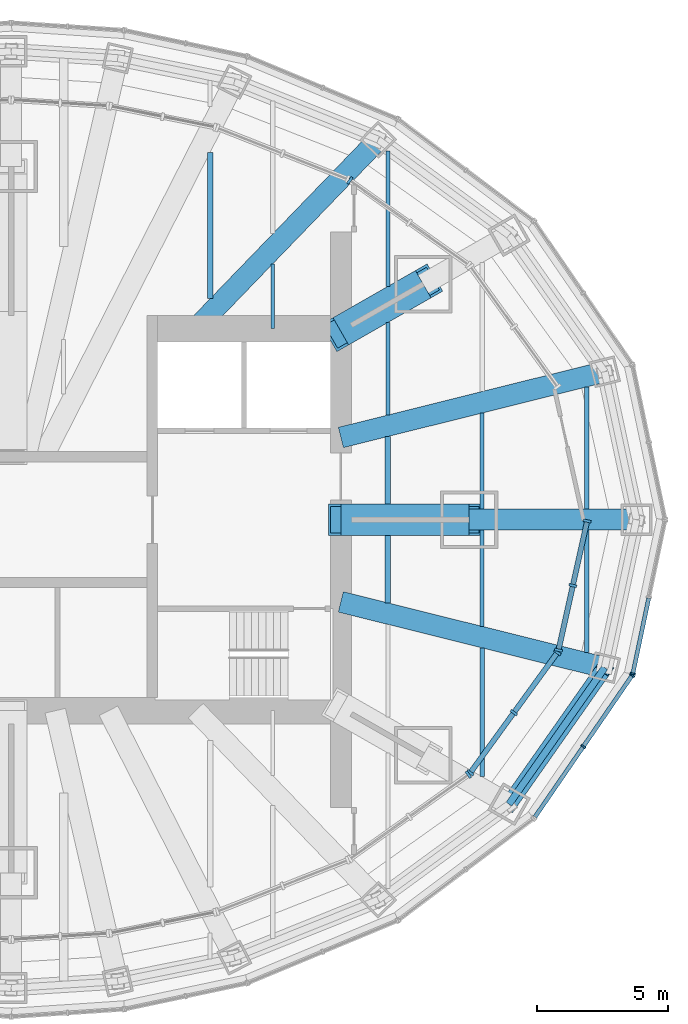
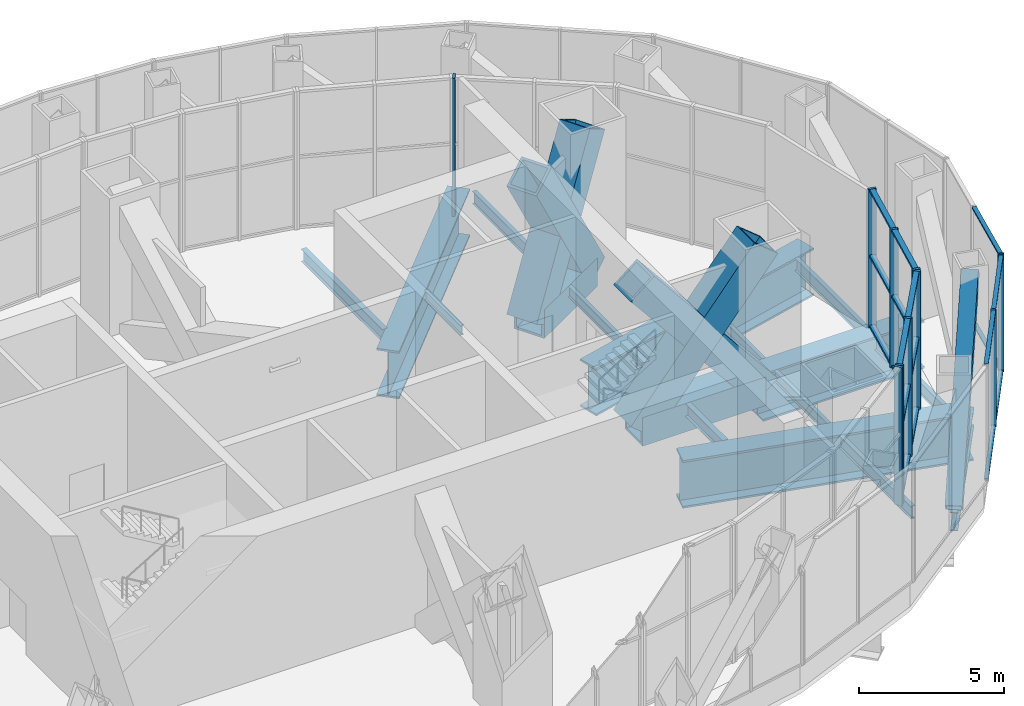
# One storey, part 8 of 21: 34 members, 18 beams, 6 elements without a shape of their own.
"""IFC4 building model written with IfcOpenShell, lengths in metres."""

import ifcopenshell
import ifcopenshell.guid

model = None  # the IFC model being written
_history = None  # IfcOwnerHistory: only IFC2X3 demands one
_inside = {}  # id of a spatial element -> (the spatial element, [elements in it])
_under = {}  # id of a project, library or spatial element -> (it, [spatial elements below it])
_declared = {}  # id of a project -> (the project, [libraries it declares])
_typed = {}  # id of a type object -> (the type object, [elements of that type])
_made_of = {}  # id of a material, layer set ... -> (it, [elements and type objects made of it])


def new_model(schema):
    """Start an empty IFC model of exactly this schema.

    Asked for "IFC4X3", IfcOpenShell would pick the latest addendum, in which some entities
    have other attributes; the version numbers below select the first issue.
    IFC2X3 requires an IfcOwnerHistory on every rooted entity: one is made here for all.
    """
    global model, _history
    if schema == "IFC4X3":
        model = ifcopenshell.file(schema_version=(4, 3, 0, 0))
    else:
        model = ifcopenshell.file(schema=schema)
    _inside.clear()
    _under.clear()
    _declared.clear()
    _typed.clear()
    _made_of.clear()
    _history = None
    if model.schema == "IFC2X3":
        org = make("IfcOrganization", Name="unknown")
        user = make(
            "IfcPersonAndOrganization",
            ThePerson=make("IfcPerson", FamilyName="unknown"),
            TheOrganization=org,
        )
        app = make(
            "IfcApplication",
            ApplicationDeveloper=org,
            Version="unknown",
            ApplicationFullName="unknown",
            ApplicationIdentifier="unknown",
        )
        _history = make(
            "IfcOwnerHistory",
            OwningUser=user,
            OwningApplication=app,
            ChangeAction="ADDED",
            CreationDate=0,
        )
    return model


def make(cls, **values):
    """One entity of the class cls with the attributes given. An attribute that is None is left unset."""
    return model.create_entity(
        cls, **{name: value for name, value in values.items() if value is not None}
    )


def rooted(cls, **values):
    """An entity with a GlobalId (a new one), such as an element, a storey or a relation."""
    return make(cls, GlobalId=ifcopenshell.guid.new(), OwnerHistory=_history, **values)


def si_unit(unit_type, name, prefix=None):
    """IfcSIUnit, for example si_unit("LENGTHUNIT", "METRE", prefix="MILLI")."""
    return make("IfcSIUnit", UnitType=unit_type, Prefix=prefix, Name=name)


def assignment(units):
    """IfcUnitAssignment: the units of a project."""
    return None if units is None else make("IfcUnitAssignment", Units=units)


def point(xyz):
    """IfcCartesianPoint."""
    return None if xyz is None else make("IfcCartesianPoint", Coordinates=xyz)


def direction(xyz):
    """IfcDirection."""
    return None if xyz is None else make("IfcDirection", DirectionRatios=xyz)


def frame(location, z_axis=None, x_axis=None):
    """IfcAxis2Placement3D, a coordinate frame: its origin and axes. An axis left out is left unset."""
    return make(
        "IfcAxis2Placement3D",
        Location=point(location),
        Axis=direction(z_axis),
        RefDirection=direction(x_axis),
    )


def frame_2d(location, x_axis=None):
    """IfcAxis2Placement2D, a coordinate frame in the plane: its origin and x axis."""
    return make(
        "IfcAxis2Placement2D", Location=point(location), RefDirection=direction(x_axis)
    )


def origin():
    """The frame at (0, 0, 0) with its axes left unset."""
    return frame((0.0, 0.0, 0.0))


def origin_2d():
    """The frame at (0, 0) in the plane with its x axis left unset."""
    return frame_2d((0.0, 0.0))


def place(relative_to, where):
    """IfcLocalPlacement: puts the frame where relative to a parent placement (None: the world)."""
    return make(
        "IfcLocalPlacement", PlacementRelTo=relative_to, RelativePlacement=where
    )


def context(
    kind, dimensions, precision=None, world=None, true_north=None, identifier=None
):
    """IfcGeometricRepresentationContext, for example the 3D "Model" context."""
    return make(
        "IfcGeometricRepresentationContext",
        ContextIdentifier=identifier,
        ContextType=kind,
        CoordinateSpaceDimension=dimensions,
        Precision=precision,
        WorldCoordinateSystem=world,
        TrueNorth=true_north,
    )


def subcontext(parent, identifier, kind, view, scale=None):
    """IfcGeometricRepresentationSubContext, for example "Body" below "Model"."""
    return make(
        "IfcGeometricRepresentationSubContext",
        ContextIdentifier=identifier,
        ContextType=kind,
        ParentContext=parent,
        TargetScale=scale,
        TargetView=view,
    )


def project(units=None, contexts=None):
    """IfcProject with its units and contexts."""
    return rooted(
        "IfcProject",
        Name="project",
        RepresentationContexts=contexts,
        UnitsInContext=assignment(units),
    )


def spatial(cls, under=None, at=None, **own):
    """A site, building, storey or space (cls), placed at a placement, below another one or the project."""
    s = rooted(cls, ObjectPlacement=at, **own)
    if under is not None:
        _under.setdefault(under.id(), (under, []))[1].append(s)
    return s


def profile(cls, at=None, kind="AREA", **sizes):
    """A parametric profile (cls). Its sizes go by their IFC names, for example OverallWidth=200.0."""
    return make(cls, ProfileType=kind, Position=at, **sizes)


def rectangle(**sizes):
    """IfcRectangleProfileDef."""
    return profile("IfcRectangleProfileDef", **sizes)


def hollow_rectangle(**sizes):
    """IfcRectangleHollowProfileDef."""
    return profile("IfcRectangleHollowProfileDef", **sizes)


def i_section(**sizes):
    """IfcIShapeProfileDef."""
    return profile("IfcIShapeProfileDef", **sizes)


def extrude(swept, where, along, depth):
    """IfcExtrudedAreaSolid: the profile swept, set in the frame where, extruded along a direction by depth."""
    return make(
        "IfcExtrudedAreaSolid",
        SweptArea=swept,
        Position=where,
        ExtrudedDirection=direction(along),
        Depth=depth,
    )


def shape(context_of_items, identifier, shape_type, items):
    """IfcShapeRepresentation: the items that make up one representation, for example the "Body"."""
    return make(
        "IfcShapeRepresentation",
        ContextOfItems=context_of_items,
        RepresentationIdentifier=identifier,
        RepresentationType=shape_type,
        Items=items,
    )


def material(Name=None, Category=None):
    """IfcMaterial."""
    return make("IfcMaterial", Name=Name, Category=Category)


def material_profile(
    of_material, cross_section, Name=None, Category=None, Priority=None
):
    """IfcMaterialProfile: a cross section and its material."""
    return make(
        "IfcMaterialProfile",
        Name=Name,
        Material=of_material,
        Profile=cross_section,
        Priority=Priority,
        Category=Category,
    )


def profile_set(profiles, Name=None, composite=None):
    """IfcMaterialProfileSet."""
    return make(
        "IfcMaterialProfileSet",
        Name=Name,
        MaterialProfiles=profiles,
        CompositeProfile=composite,
    )


def made_of(thing, what):
    """Note that an element or type object is made of a material, layer set ...; save() writes the relation."""
    if what is not None:
        _made_of.setdefault(what.id(), (what, []))[1].append(thing)
    return thing


def type_object(cls, material=None, **own):
    """A type object (cls), such as IfcWallType, which elements share."""
    return made_of(rooted(cls, **own), material)


def element(
    cls,
    number,
    at=None,
    inside=None,
    cuts=None,
    type_object=None,
    material=None,
    context=None,
    identifier="Body",
    shape_type=None,
    held_by="IfcProductDefinitionShape",
    body=None,
    shapes=None,
    **own,
):
    """One element of the class cls, such as IfcWall. Its Tag is "e" and its number.

    at: its placement. inside: the storey or other place that contains it. cuts: it is an
    opening in that element (IfcRelVoidsElement). A single representation is given by context,
    identifier, shape_type and body (its items); several are given by shapes. held_by: the class
    of the entity that holds the representations. save() writes the other relations.
    """
    e = rooted(cls, Tag="e%d" % number, ObjectPlacement=at, **own)
    if body is not None:
        shapes = [shape(context, identifier, shape_type, body)]
    if shapes is not None:
        e.Representation = make(held_by, Representations=shapes)
    if inside is not None:
        _inside.setdefault(inside.id(), (inside, []))[1].append(e)
    if cuts is not None:
        rooted(
            "IfcRelVoidsElement", RelatingBuildingElement=cuts, RelatedOpeningElement=e
        )
    if type_object is not None:
        _typed.setdefault(type_object.id(), (type_object, []))[1].append(e)
    return made_of(e, material)


def aggregate(whole, parts):
    """IfcRelAggregates: a whole, such as a stair, and the parts it consists of."""
    return rooted("IfcRelAggregates", RelatingObject=whole, RelatedObjects=parts)


def save(model, path):
    """Write the relations noted so far, then the file.

    IfcRelAggregates (storeys below a building ...), IfcRelContainedInSpatialStructure (elements
    in a storey), IfcRelDefinesByType, IfcRelAssociatesMaterial and IfcRelDeclares: one each for
    every whole, place, type object, material and project.
    """
    for whole, parts in _under.values():
        aggregate(whole, parts)
    for where, things in _inside.values():
        rooted(
            "IfcRelContainedInSpatialStructure",
            RelatedElements=things,
            RelatingStructure=where,
        )
    for kind, things in _typed.values():
        rooted("IfcRelDefinesByType", RelatedObjects=things, RelatingType=kind)
    for what, things in _made_of.values():
        rooted("IfcRelAssociatesMaterial", RelatedObjects=things, RelatingMaterial=what)
    for by, libraries in _declared.values():
        rooted("IfcRelDeclares", RelatingContext=by, RelatedDefinitions=libraries)
    model.write(path)


model = new_model("IFC4")

# Units and contexts
model_context = context("Model", 3, precision=1e-05, world=origin(), true_north=direction((0.0, 1.0)))
body_context = subcontext(model_context, "Body", "Model", "MODEL_VIEW")
ifc_project = project(units=[si_unit("LENGTHUNIT", "METRE"), si_unit("AREAUNIT", "SQUARE_METRE"), si_unit("VOLUMEUNIT", "CUBIC_METRE"), si_unit("PLANEANGLEUNIT", "RADIAN"), si_unit("MASSUNIT", "GRAM", prefix="KILO")], contexts=[model_context])

# Site, building, storey
site_placement = place(None, origin())
site = spatial("IfcSite", under=ifc_project, at=site_placement, CompositionType="ELEMENT")
building_placement = place(site_placement, origin())
building = spatial("IfcBuilding", under=site, at=building_placement, Name="Lantaw Convention Tower", CompositionType="ELEMENT")
storey_placement = place(building_placement, frame((0.0, 0.0, 284.39990234375)))
storey = spatial("IfcBuildingStorey", under=building, at=storey_placement, Name="L66", CompositionType="ELEMENT", Elevation=284.39990234375)

# Beams
ifc_material_1 = material(Name="Steel ASTM A992", Category="steel")
ifc_material_profile_1 = material_profile(ifc_material_1, i_section(OverallWidth=0.2666015625, OverallDepth=0.76953125, WebThickness=0.015625, FlangeThickness=0.025390625, FilletRadius=0.0126953125, at=origin_2d()), Name="W30X132")
ifc_profile_set_1 = profile_set([ifc_material_profile_1], Name="Steel ASTM A992")
beam_type_1 = type_object("IfcBeamType", Name="Beam E W30X132", PredefinedType="SPANDREL", material=ifc_profile_set_1)
beam_1_placement = place(storey_placement, frame((19.02685546875, -10.87255859375, -0.584716796875), z_axis=(0.574400527612, 0.81857439117, 0.0), x_axis=(-0.81857439117, 0.574400527612, 0.0)))
element("IfcBeam", 1, at=beam_1_placement, inside=storey, type_object=beam_type_1, Name="Edge beam 23", PredefinedType="SPANDREL", context=body_context, shape_type="SweptSolid", body=[
    extrude(i_section(OverallWidth=0.2666015625, OverallDepth=0.76953125, WebThickness=0.015625, FlangeThickness=0.025390625, FilletRadius=0.0126953125, at=origin_2d()), origin(), (0.0, 0.0, 1.0), 6.3720703125),
])
ifc_material_2 = material(Name="Steel ASTM A572 Grade 50", Category="steel")
ifc_material_profile_2 = material_profile(ifc_material_2, i_section(OverallWidth=0.800048828125, OverallDepth=2.0, WebThickness=0.030029296875, FlangeThickness=0.080078125, at=origin_2d()), Name="PG2000X800X30X80")
ifc_profile_set_2 = profile_set([ifc_material_profile_2], Name="Steel ASTM A572 Grade 50")
beam_type_2 = type_object("IfcBeamType", Name="Beam HG PG2000X800X30X80", PredefinedType="BEAM", material=ifc_profile_set_2)
beam_2_placement = place(storey_placement, frame((17.5, 0.0, -1.199951171875), z_axis=(1.0, 0.0, 0.0), x_axis=(0.0, 1.0, 0.0)))
element("IfcBeam", 2, at=beam_2_placement, inside=storey, type_object=beam_type_2, Name="Floor girder on ray 1", PredefinedType="BEAM", context=body_context, shape_type="SweptSolid", body=[
    extrude(i_section(OverallWidth=0.800048828125, OverallDepth=2.0, WebThickness=0.030029296875, FlangeThickness=0.080078125, at=origin_2d()), origin(), (0.0, 0.0, 1.0), 6.39990234375),
])
beam_3_placement = place(storey_placement, frame((12.60009765625, 3.1416015625, -1.199951171875), z_axis=(0.97029702597, 0.241916682751, 0.0), x_axis=(-0.241916682751, 0.97029702597, 0.0)))
element("IfcBeam", 3, at=beam_3_placement, inside=storey, type_object=beam_type_2, Name="Floor girder on ray 2", PredefinedType="BEAM", context=body_context, shape_type="SweptSolid", body=[
    extrude(i_section(OverallWidth=0.800048828125, OverallDepth=2.0, WebThickness=0.030029296875, FlangeThickness=0.080078125, at=origin_2d()), origin(), (0.0, 0.0, 1.0), 10.395751953125),
])
beam_4_placement = place(storey_placement, frame((7.049560546875, 7.300048828125, -1.199951171875), z_axis=(0.694652631285, 0.71934534255, 0.0), x_axis=(-0.71934534255, 0.694652631285, 0.0)))
element("IfcBeam", 4, at=beam_4_placement, inside=storey, type_object=beam_type_2, Name="Floor girder on ray 4", PredefinedType="BEAM", context=body_context, shape_type="SweptSolid", body=[
    extrude(i_section(OverallWidth=0.800048828125, OverallDepth=2.0, WebThickness=0.030029296875, FlangeThickness=0.080078125, at=origin_2d()), origin(), (0.0, 0.0, 1.0), 10.04541015625),
])
beam_5_placement = place(storey_placement, frame((12.60009765625, -3.1416015625, -1.199951171875), z_axis=(0.97029702597, -0.241916682751, 0.0), x_axis=(0.241916682751, 0.97029702597, 0.0)))
element("IfcBeam", 5, at=beam_5_placement, inside=storey, type_object=beam_type_2, Name="Floor girder on ray 24", PredefinedType="BEAM", context=body_context, shape_type="SweptSolid", body=[
    extrude(i_section(OverallWidth=0.800048828125, OverallDepth=2.0, WebThickness=0.030029296875, FlangeThickness=0.080078125, at=origin_2d()), origin(), (0.0, 0.0, 1.0), 10.395751953125),
])
ifc_material_profile_3 = material_profile(ifc_material_1, i_section(OverallWidth=0.140380859375, OverallDepth=0.40380859375, WebThickness=0.007080078125, FlangeThickness=0.01123046875, FilletRadius=0.01025390625, at=origin_2d()), Name="W16X31")
ifc_profile_set_3 = profile_set([ifc_material_profile_3], Name="Steel ASTM A992")
beam_type_3 = type_object("IfcBeamType", Name="Beam J W16X31", PredefinedType="JOIST", material=ifc_profile_set_3)
beam_6_placement = place(storey_placement, frame((10.0, 7.300048828125, -0.40185546875), z_axis=(0.0, 1.0, 0.0), x_axis=(-1.0, 0.0, 0.0)))
element("IfcBeam", 6, at=beam_6_placement, inside=storey, type_object=beam_type_3, Name="Floor joist", PredefinedType="JOIST", context=body_context, shape_type="SweptSolid", body=[
    extrude(i_section(OverallWidth=0.140380859375, OverallDepth=0.40380859375, WebThickness=0.007080078125, FlangeThickness=0.01123046875, FilletRadius=0.01025390625, at=origin_2d()), origin(), (0.0, 0.0, 1.0), 2.4794921875),
])
ifc_material_profile_4 = material_profile(ifc_material_1, i_section(OverallWidth=0.15234375, OverallDepth=0.449462890625, WebThickness=0.007568359375, FlangeThickness=0.0107421875, FilletRadius=0.01025390625, at=origin_2d()), Name="W18X35")
ifc_profile_set_4 = profile_set([ifc_material_profile_4], Name="Steel ASTM A992")
beam_type_4 = type_object("IfcBeamType", Name="Beam J W18X35", PredefinedType="JOIST", material=ifc_profile_set_4)
beam_7_placement = place(storey_placement, frame((14.39990234375, 4.002685546875, -0.4248046875), z_axis=(0.0, 1.0, 0.0), x_axis=(-1.0, 0.0, 0.0)))
element("IfcBeam", 7, at=beam_7_placement, inside=storey, type_object=beam_type_4, Name="Floor joist", PredefinedType="JOIST", context=body_context, shape_type="SweptSolid", body=[
    extrude(i_section(OverallWidth=0.15234375, OverallDepth=0.449462890625, WebThickness=0.007568359375, FlangeThickness=0.0107421875, FilletRadius=0.01025390625, at=origin_2d()), origin(), (0.0, 0.0, 1.0), 3.534912109375),
])
for number, where, z_axis, x_axis, name in (
    (8, (18.0, -4.07568359375, -0.4248046875), (0.0, 1.0, 0.0), (-1.0, 0.0, 0.0), "Floor joist"),
    (9, (18.0, 0.39990234375, -0.4248046875), (0.0, 1.0, 0.0), (-1.0, 0.0, 0.0), "Floor joist"),
):
    element("IfcBeam", number, at=place(storey_placement, frame(where, z_axis=z_axis, x_axis=x_axis)), inside=storey, type_object=beam_type_4, Name=name, PredefinedType="JOIST", context=body_context, shape_type="SweptSolid", body=[
        extrude(i_section(OverallWidth=0.15234375, OverallDepth=0.449462890625, WebThickness=0.007568359375, FlangeThickness=0.0107421875, FilletRadius=0.01025390625, at=origin_2d()), origin(), (0.0, 0.0, 1.0), 3.67578125),
    ])
ifc_material_profile_5 = material_profile(ifc_material_1, i_section(OverallWidth=0.1650390625, OverallDepth=0.52587890625, WebThickness=0.0087890625, FlangeThickness=0.011474609375, FilletRadius=0.0126953125, at=origin_2d()), Name="W21X44")
ifc_profile_set_5 = profile_set([ifc_material_profile_5], Name="Steel ASTM A992")
beam_type_5 = type_object("IfcBeamType", Name="Beam J W21X44", PredefinedType="JOIST", material=ifc_profile_set_5)
for number, where, z_axis, x_axis, name in (
    (10, (22.0, -5.072998046875, -0.462890625), (0.0, 1.0, 0.0), (-1.0, 0.0, 0.0), "Floor joist"),
    (11, (22.0, 0.39990234375, -0.462890625), (0.0, 1.0, 0.0), (-1.0, 0.0, 0.0), "Floor joist"),
):
    element("IfcBeam", number, at=place(storey_placement, frame(where, z_axis=z_axis, x_axis=x_axis)), inside=storey, type_object=beam_type_5, Name=name, PredefinedType="JOIST", context=body_context, shape_type="SweptSolid", body=[
        extrude(i_section(OverallWidth=0.1650390625, OverallDepth=0.52587890625, WebThickness=0.0087890625, FlangeThickness=0.011474609375, FilletRadius=0.0126953125, at=origin_2d()), origin(), (0.0, 0.0, 1.0), 4.673095703125),
    ])
ifc_material_profile_6 = material_profile(ifc_material_1, i_section(OverallWidth=0.165771484375, OverallDepth=0.5283203125, WebThickness=0.009765625, FlangeThickness=0.013671875, FilletRadius=0.012939453125, at=origin_2d()), Name="W21X50")
ifc_profile_set_6 = profile_set([ifc_material_profile_6], Name="Steel ASTM A992")
beam_type_6 = type_object("IfcBeamType", Name="Beam J W21X50", PredefinedType="JOIST", material=ifc_profile_set_6)
beam_8_placement = place(storey_placement, frame((14.39990234375, 8.919677734375, -0.464111328125), z_axis=(0.0, 1.0, 0.0), x_axis=(-1.0, 0.0, 0.0)))
element("IfcBeam", 12, at=beam_8_placement, inside=storey, type_object=beam_type_6, Name="Floor joist", PredefinedType="JOIST", context=body_context, shape_type="SweptSolid", body=[
    extrude(i_section(OverallWidth=0.165771484375, OverallDepth=0.5283203125, WebThickness=0.009765625, FlangeThickness=0.013671875, FilletRadius=0.012939453125, at=origin_2d()), origin(), (0.0, 0.0, 1.0), 5.169189453125),
])
beam_9_placement = place(storey_placement, frame((18.0, -9.824951171875, -0.464111328125), z_axis=(0.0, 1.0, 0.0), x_axis=(-1.0, 0.0, 0.0)))
element("IfcBeam", 13, at=beam_9_placement, inside=storey, type_object=beam_type_6, Name="Floor joist", PredefinedType="JOIST", context=body_context, shape_type="SweptSolid", body=[
    extrude(i_section(OverallWidth=0.165771484375, OverallDepth=0.5283203125, WebThickness=0.009765625, FlangeThickness=0.013671875, FilletRadius=0.012939453125, at=origin_2d()), origin(), (0.0, 0.0, 1.0), 4.9248046875),
])
ifc_material_profile_7 = material_profile(ifc_material_1, i_section(OverallWidth=0.209228515625, OverallDepth=0.533447265625, WebThickness=0.01025390625, FlangeThickness=0.015625, FilletRadius=0.012939453125, at=origin_2d()), Name="W21X62")
ifc_profile_set_7 = profile_set([ifc_material_profile_7], Name="Steel ASTM A992")
beam_type_7 = type_object("IfcBeamType", Name="Beam J W21X62", PredefinedType="JOIST", material=ifc_profile_set_7)
beam_10_placement = place(storey_placement, frame((7.60009765625, 8.44580078125, -0.466552734375), z_axis=(0.0, 1.0, 0.0), x_axis=(-1.0, 0.0, 0.0)))
element("IfcBeam", 14, at=beam_10_placement, inside=storey, type_object=beam_type_7, Name="Floor joist", PredefinedType="JOIST", context=body_context, shape_type="SweptSolid", body=[
    extrude(i_section(OverallWidth=0.209228515625, OverallDepth=0.533447265625, WebThickness=0.01025390625, FlangeThickness=0.015625, FilletRadius=0.012939453125, at=origin_2d()), origin(), (0.0, 0.0, 1.0), 5.5888671875),
])
ifc_material_profile_8 = material_profile(ifc_material_1, i_section(OverallWidth=0.2099609375, OverallDepth=0.535888671875, WebThickness=0.010986328125, FlangeThickness=0.017333984375, FilletRadius=0.012939453125, at=origin_2d()), Name="W21X68")
ifc_profile_set_8 = profile_set([ifc_material_profile_8], Name="Steel ASTM A992")
beam_type_8 = type_object("IfcBeamType", Name="Beam J W21X68", PredefinedType="JOIST", material=ifc_profile_set_8)
for number, where, z_axis, x_axis, name in (
    (15, (14.39990234375, -3.177978515625, -0.4677734375), (0.0, 1.0, 0.0), (-1.0, 0.0, 0.0), "Floor joist"),
    (16, (14.39990234375, 0.60009765625, -0.4677734375), (0.0, 1.0, 0.0), (-1.0, 0.0, 0.0), "Floor joist"),
):
    element("IfcBeam", number, at=place(storey_placement, frame(where, z_axis=z_axis, x_axis=x_axis)), inside=storey, type_object=beam_type_8, Name=name, PredefinedType="JOIST", context=body_context, shape_type="SweptSolid", body=[
        extrude(i_section(OverallWidth=0.2099609375, OverallDepth=0.535888671875, WebThickness=0.010986328125, FlangeThickness=0.017333984375, FilletRadius=0.012939453125, at=origin_2d()), origin(), (0.0, 0.0, 1.0), 2.577880859375),
    ])
ifc_material_3 = material(Name="Steel EN 10025-3 S460N", Category="steel")
ifc_material_profile_9 = material_profile(ifc_material_3, hollow_rectangle(XDim=1.199951171875, YDim=1.199951171875, WallThickness=0.10009765625, at=origin_2d()), Name="BOX1200X100")
ifc_profile_set_9 = profile_set([ifc_material_profile_9], Name="Steel EN 10025-3 S460N")
beam_type_9 = type_object("IfcBeamType", Name="Beam OC BOX1200X100", PredefinedType="BEAM", material=ifc_profile_set_9)
beam_11_placement = place(storey_placement, frame((12.60009765625, 0.0, -0.7998046875), z_axis=(1.0, 0.0, 0.0), x_axis=(0.0, 1.0, 0.0)))
element("IfcBeam", 17, at=beam_11_placement, inside=storey, type_object=beam_type_9, Name="Outrigger chord on ray 1", PredefinedType="BEAM", context=body_context, shape_type="SweptSolid", body=[
    extrude(hollow_rectangle(XDim=1.199951171875, YDim=1.199951171875, WallThickness=0.10009765625, at=origin_2d()), origin(), (0.0, 0.0, 1.0), 4.89990234375),
])
beam_12_placement = place(storey_placement, frame((12.60009765625, 7.199951171875, -0.7998046875), z_axis=(0.868230718294, 0.496160679428, 0.0), x_axis=(-0.496160679428, 0.868230718294, 0.0)))
element("IfcBeam", 18, at=beam_12_placement, inside=storey, type_object=beam_type_9, Name="Outrigger chord on ray 3", PredefinedType="BEAM", context=body_context, shape_type="SweptSolid", body=[
    extrude(hollow_rectangle(XDim=1.199951171875, YDim=1.199951171875, WallThickness=0.10009765625, at=origin_2d()), origin(), (0.0, 0.0, 1.0), 3.6279296875),
])

# Curtain wall, member
ifc_material_4 = material(Name="Aluminium framed curtain wall", Category="aluminium")
curtain_wall_type_1 = type_object("IfcCurtainWallType", Name="Lantern corner louvre curtain wall, pale aluminium", PredefinedType="USERDEFINED", material=ifc_material_4)
curtain_wall_1_placement = place(storey_placement, origin())
curtain_wall_1 = element("IfcCurtainWall", 19, at=curtain_wall_1_placement, inside=storey, type_object=curtain_wall_type_1, Name="Lantern corner louvre curtain wall, pale aluminium L66", ObjectType="LOUVRE WALL", PredefinedType="USERDEFINED")
ifc_material_5 = material(Name="Aluminium 6063-T6", Category="aluminium")
ifc_material_profile_10 = material_profile(ifc_material_5, rectangle(XDim=0.300048828125, YDim=0.10009765625, at=origin_2d()), Name="CW-LC mullion 100x300")
ifc_profile_set_10 = profile_set([ifc_material_profile_10], Name="Aluminium 6063-T6")
member_type_1 = type_object("IfcMemberType", Name="CW-LC mullion 100x300", PredefinedType="MULLION", material=ifc_profile_set_10)
member_1_placement = place(storey_placement, frame((12.946533203125, 12.966552734375, 0.0), z_axis=(0.0, 0.0, 1.0), x_axis=(-0.579683901346, -0.814841441337, 0.0)))
member_1 = element("IfcMember", 20, at=member_1_placement, type_object=member_type_1, Name="CW-LC mullion 3", PredefinedType="MULLION", context=body_context, shape_type="SweptSolid", body=[
    extrude(rectangle(XDim=0.300048828125, YDim=0.10009765625, at=origin_2d()), origin(), (0.0, 0.0, 1.0), 5.800048828125),
])
aggregate(curtain_wall_1, [member_1])

curtain_wall_2_placement = place(storey_placement, origin())
curtain_wall_2 = element("IfcCurtainWall", 21, at=curtain_wall_2_placement, inside=storey, type_object=curtain_wall_type_1, Name="Lantern corner louvre curtain wall, pale aluminium L66", ObjectType="LOUVRE WALL", PredefinedType="USERDEFINED")
member_2_placement = place(storey_placement, frame((17.477783203125, -9.7431640625, 0.0), z_axis=(0.0, 0.0, 1.0), x_axis=(-0.579683901346, 0.814841441337, 0.0)))
member_2 = element("IfcMember", 22, at=member_2_placement, type_object=member_type_1, Name="CW-LC mullion 3", PredefinedType="MULLION", context=body_context, shape_type="SweptSolid", body=[
    extrude(rectangle(XDim=0.300048828125, YDim=0.10009765625, at=origin_2d()), origin(), (0.0, 0.0, 1.0), 5.800048828125),
])
aggregate(curtain_wall_2, [member_2])

# Curtain wall, members
curtain_wall_type_2 = type_object("IfcCurtainWallType", Name="LANTERN glazing curtain wall, pale aluminium", PredefinedType="USERDEFINED", material=ifc_material_4)
curtain_wall_3_placement = place(storey_placement, origin())
curtain_wall_3 = element("IfcCurtainWall", 23, at=curtain_wall_3_placement, inside=storey, type_object=curtain_wall_type_2, Name="LANTERN glazing curtain wall, pale aluminium L66", ObjectType="LANTERN GLAZING", PredefinedType="USERDEFINED")
ifc_material_profile_11 = material_profile(ifc_material_5, rectangle(XDim=0.300048828125, YDim=0.10009765625, at=origin_2d()), Name="CW-LN mullion 100x300")
ifc_profile_set_11 = profile_set([ifc_material_profile_11], Name="Aluminium 6063-T6")
member_type_2 = type_object("IfcMemberType", Name="CW-LN mullion 100x300", PredefinedType="MULLION", material=ifc_profile_set_11)
member_3_placement = place(storey_placement, frame((17.5478515625, -9.673583984375, 0.0), z_axis=(0.0, 0.0, 1.0), x_axis=(-0.809741800193, 0.586786346995, 0.0)))
member_3 = element("IfcMember", 24, at=member_3_placement, type_object=member_type_2, Name="CW-LN mullion 1", PredefinedType="MULLION", context=body_context, shape_type="SweptSolid", body=[
    extrude(rectangle(XDim=0.300048828125, YDim=0.10009765625, at=origin_2d()), origin(), (0.0, 0.0, 1.0), 5.800048828125),
])
member_4_placement = place(storey_placement, frame((19.213623046875, -7.375, 0.0), z_axis=(0.0, 0.0, 1.0), x_axis=(-0.809741800193, 0.586786346995, 0.0)))
member_4 = element("IfcMember", 25, at=member_4_placement, type_object=member_type_2, Name="CW-LN mullion 2", PredefinedType="MULLION", context=body_context, shape_type="SweptSolid", body=[
    extrude(rectangle(XDim=0.300048828125, YDim=0.10009765625, at=origin_2d()), origin(), (0.0, 0.0, 1.0), 5.800048828125),
])
member_5_placement = place(storey_placement, frame((20.87939453125, -5.076171875, 0.0), z_axis=(0.0, 0.0, 1.0), x_axis=(-0.809741800193, 0.586786346995, 0.0)))
member_5 = element("IfcMember", 26, at=member_5_placement, type_object=member_type_2, Name="CW-LN mullion 3", PredefinedType="MULLION", context=body_context, shape_type="SweptSolid", body=[
    extrude(rectangle(XDim=0.300048828125, YDim=0.10009765625, at=origin_2d()), origin(), (0.0, 0.0, 1.0), 5.800048828125),
])

curtain_wall_4_placement = place(storey_placement, origin())
curtain_wall_4 = element("IfcCurtainWall", 27, at=curtain_wall_4_placement, inside=storey, type_object=curtain_wall_type_2, Name="LANTERN glazing curtain wall, pale aluminium L66", ObjectType="LANTERN GLAZING", PredefinedType="USERDEFINED")
member_6_placement = place(storey_placement, frame((20.919677734375, -4.98681640625, 0.0), z_axis=(0.0, 0.0, 1.0), x_axis=(-0.976223729568, 0.216765379683, 0.0)))
member_6 = element("IfcMember", 28, at=member_6_placement, type_object=member_type_2, Name="CW-LN mullion 1", PredefinedType="MULLION", context=body_context, shape_type="SweptSolid", body=[
    extrude(rectangle(XDim=0.300048828125, YDim=0.10009765625, at=origin_2d()), origin(), (0.0, 0.0, 1.0), 5.800048828125),
])
member_7_placement = place(storey_placement, frame((21.4677734375, -2.517822265625, 0.0), z_axis=(0.0, 0.0, 1.0), x_axis=(-0.976223729568, 0.216765379683, 0.0)))
member_7 = element("IfcMember", 29, at=member_7_placement, type_object=member_type_2, Name="CW-LN mullion 2", PredefinedType="MULLION", context=body_context, shape_type="SweptSolid", body=[
    extrude(rectangle(XDim=0.300048828125, YDim=0.10009765625, at=origin_2d()), origin(), (0.0, 0.0, 1.0), 5.800048828125),
])
member_8_placement = place(storey_placement, frame((22.01611328125, -0.048828125, 0.0), z_axis=(0.0, 0.0, 1.0), x_axis=(-0.976223729568, 0.216765379683, 0.0)))
member_8 = element("IfcMember", 30, at=member_8_placement, type_object=member_type_2, Name="CW-LN mullion 3", PredefinedType="MULLION", context=body_context, shape_type="SweptSolid", body=[
    extrude(rectangle(XDim=0.300048828125, YDim=0.10009765625, at=origin_2d()), origin(), (0.0, 0.0, 1.0), 5.800048828125),
])

# Member
ifc_material_profile_12 = material_profile(ifc_material_5, rectangle(XDim=0.199951171875, YDim=0.10009765625, at=origin_2d()), Name="CW-LN transom 100x200")
ifc_profile_set_12 = profile_set([ifc_material_profile_12], Name="Aluminium 6063-T6")
member_type_3 = type_object("IfcMemberType", Name="CW-LN transom 100x200", PredefinedType="USERDEFINED", material=ifc_profile_set_12)
member_9_placement = place(storey_placement, frame((17.5771484375, -9.633056640625, 0.050048828125), z_axis=(0.586798118951, 0.809733269414, 0.0), x_axis=(-0.809733269414, 0.586798118951, 0.0)))
member_9 = element("IfcMember", 31, at=member_9_placement, type_object=member_type_3, Name="CW-LN transom 1.1", ObjectType="TRANSOM", PredefinedType="USERDEFINED", context=body_context, shape_type="SweptSolid", body=[
    extrude(rectangle(XDim=0.199951171875, YDim=0.10009765625, at=origin_2d()), origin(), (0.0, 0.0, 1.0), 2.739013671875),
])

member_10_placement = place(storey_placement, frame((17.5771484375, -9.633056640625, 3.0), z_axis=(0.586798118951, 0.809733269414, 0.0), x_axis=(-0.809733269414, 0.586798118951, 0.0)))
member_10 = element("IfcMember", 32, at=member_10_placement, type_object=member_type_3, Name="CW-LN transom 1.2", ObjectType="TRANSOM", PredefinedType="USERDEFINED", context=body_context, shape_type="SweptSolid", body=[
    extrude(rectangle(XDim=0.199951171875, YDim=0.10009765625, at=origin_2d()), origin(), (0.0, 0.0, 1.0), 2.739013671875),
])

member_11_placement = place(storey_placement, frame((17.5771484375, -9.633056640625, 5.75), z_axis=(0.586798118951, 0.809733269414, 0.0), x_axis=(-0.809733269414, 0.586798118951, 0.0)))
member_11 = element("IfcMember", 33, at=member_11_placement, type_object=member_type_3, Name="CW-LN transom 1.3", ObjectType="TRANSOM", PredefinedType="USERDEFINED", context=body_context, shape_type="SweptSolid", body=[
    extrude(rectangle(XDim=0.199951171875, YDim=0.10009765625, at=origin_2d()), origin(), (0.0, 0.0, 1.0), 2.739013671875),
])

member_12_placement = place(storey_placement, frame((19.242919921875, -7.33447265625, 0.050048828125), z_axis=(0.586798118951, 0.809733269414, 0.0), x_axis=(-0.809733269414, 0.586798118951, 0.0)))
member_12 = element("IfcMember", 34, at=member_12_placement, type_object=member_type_3, Name="CW-LN transom 2.1", ObjectType="TRANSOM", PredefinedType="USERDEFINED", context=body_context, shape_type="SweptSolid", body=[
    extrude(rectangle(XDim=0.199951171875, YDim=0.10009765625, at=origin_2d()), origin(), (0.0, 0.0, 1.0), 2.739013671875),
])

member_13_placement = place(storey_placement, frame((19.242919921875, -7.33447265625, 3.0), z_axis=(0.586798118951, 0.809733269414, 0.0), x_axis=(-0.809733269414, 0.586798118951, 0.0)))
member_13 = element("IfcMember", 35, at=member_13_placement, type_object=member_type_3, Name="CW-LN transom 2.2", ObjectType="TRANSOM", PredefinedType="USERDEFINED", context=body_context, shape_type="SweptSolid", body=[
    extrude(rectangle(XDim=0.199951171875, YDim=0.10009765625, at=origin_2d()), origin(), (0.0, 0.0, 1.0), 2.739013671875),
])

member_14_placement = place(storey_placement, frame((19.242919921875, -7.33447265625, 5.75), z_axis=(0.586798118951, 0.809733269414, 0.0), x_axis=(-0.809733269414, 0.586798118951, 0.0)))
member_14 = element("IfcMember", 36, at=member_14_placement, type_object=member_type_3, Name="CW-LN transom 2.3", ObjectType="TRANSOM", PredefinedType="USERDEFINED", context=body_context, shape_type="SweptSolid", body=[
    extrude(rectangle(XDim=0.199951171875, YDim=0.10009765625, at=origin_2d()), origin(), (0.0, 0.0, 1.0), 2.739013671875),
])

aggregate(curtain_wall_3, [member_3, member_4, member_5, member_9, member_10, member_11, member_12, member_13, member_14])

member_15_placement = place(storey_placement, frame((20.930419921875, -4.93798828125, 0.050048828125), z_axis=(0.21679211166, 0.976217793488, 0.0), x_axis=(-0.976217793488, 0.21679211166, 0.0)))
member_15 = element("IfcMember", 37, at=member_15_placement, type_object=member_type_3, Name="CW-LN transom 1.1", ObjectType="TRANSOM", PredefinedType="USERDEFINED", context=body_context, shape_type="SweptSolid", body=[
    extrude(rectangle(XDim=0.199951171875, YDim=0.10009765625, at=origin_2d()), origin(), (0.0, 0.0, 1.0), 2.42919921875),
])

member_16_placement = place(storey_placement, frame((20.930419921875, -4.93798828125, 3.0), z_axis=(0.21679211166, 0.976217793488, 0.0), x_axis=(-0.976217793488, 0.21679211166, 0.0)))
member_16 = element("IfcMember", 38, at=member_16_placement, type_object=member_type_3, Name="CW-LN transom 1.2", ObjectType="TRANSOM", PredefinedType="USERDEFINED", context=body_context, shape_type="SweptSolid", body=[
    extrude(rectangle(XDim=0.199951171875, YDim=0.10009765625, at=origin_2d()), origin(), (0.0, 0.0, 1.0), 2.42919921875),
])

member_17_placement = place(storey_placement, frame((20.930419921875, -4.93798828125, 5.75), z_axis=(0.21679211166, 0.976217793488, 0.0), x_axis=(-0.976217793488, 0.21679211166, 0.0)))
member_17 = element("IfcMember", 39, at=member_17_placement, type_object=member_type_3, Name="CW-LN transom 1.3", ObjectType="TRANSOM", PredefinedType="USERDEFINED", context=body_context, shape_type="SweptSolid", body=[
    extrude(rectangle(XDim=0.199951171875, YDim=0.10009765625, at=origin_2d()), origin(), (0.0, 0.0, 1.0), 2.42919921875),
])

member_18_placement = place(storey_placement, frame((21.478515625, -2.468994140625, 0.050048828125), z_axis=(0.21679211166, 0.976217793488, 0.0), x_axis=(-0.976217793488, 0.21679211166, 0.0)))
member_18 = element("IfcMember", 40, at=member_18_placement, type_object=member_type_3, Name="CW-LN transom 2.1", ObjectType="TRANSOM", PredefinedType="USERDEFINED", context=body_context, shape_type="SweptSolid", body=[
    extrude(rectangle(XDim=0.199951171875, YDim=0.10009765625, at=origin_2d()), origin(), (0.0, 0.0, 1.0), 2.42919921875),
])

member_19_placement = place(storey_placement, frame((21.478515625, -2.468994140625, 3.0), z_axis=(0.21679211166, 0.976217793488, 0.0), x_axis=(-0.976217793488, 0.21679211166, 0.0)))
member_19 = element("IfcMember", 41, at=member_19_placement, type_object=member_type_3, Name="CW-LN transom 2.2", ObjectType="TRANSOM", PredefinedType="USERDEFINED", context=body_context, shape_type="SweptSolid", body=[
    extrude(rectangle(XDim=0.199951171875, YDim=0.10009765625, at=origin_2d()), origin(), (0.0, 0.0, 1.0), 2.42919921875),
])

member_20_placement = place(storey_placement, frame((21.478515625, -2.468994140625, 5.75), z_axis=(0.21679211166, 0.976217793488, 0.0), x_axis=(-0.976217793488, 0.21679211166, 0.0)))
member_20 = element("IfcMember", 42, at=member_20_placement, type_object=member_type_3, Name="CW-LN transom 2.3", ObjectType="TRANSOM", PredefinedType="USERDEFINED", context=body_context, shape_type="SweptSolid", body=[
    extrude(rectangle(XDim=0.199951171875, YDim=0.10009765625, at=origin_2d()), origin(), (0.0, 0.0, 1.0), 2.42919921875),
])

aggregate(curtain_wall_4, [member_6, member_7, member_8, member_15, member_16, member_17, member_18, member_19, member_20])

# Curtain wall, members
curtain_wall_type_3 = type_object("IfcCurtainWallType", Name="Plant floor louvre wall, pale aluminium", PredefinedType="USERDEFINED", material=ifc_material_4)
curtain_wall_5_placement = place(storey_placement, origin())
curtain_wall_5 = element("IfcCurtainWall", 43, at=curtain_wall_5_placement, inside=storey, type_object=curtain_wall_type_3, Name="Plant floor louvre wall, pale aluminium L66", ObjectType="LOUVRE WALL", PredefinedType="USERDEFINED")
ifc_material_profile_13 = material_profile(ifc_material_5, rectangle(XDim=0.199951171875, YDim=0.070068359375, at=origin_2d()), Name="CW-LV mullion 70x200")
ifc_profile_set_13 = profile_set([ifc_material_profile_13], Name="Aluminium 6063-T6")
member_type_4 = type_object("IfcMemberType", Name="CW-LV mullion 70x200", PredefinedType="MULLION", material=ifc_profile_set_13)
member_21_placement = place(storey_placement, frame((21.8681640625, -8.67041015625, 1.10009765625), z_axis=(0.0, 0.0, 1.0), x_axis=(-0.824449977189, 0.565934832921, 0.0)))
member_21 = element("IfcMember", 44, at=member_21_placement, type_object=member_type_4, Name="CW-LV mullion 2", PredefinedType="MULLION", context=body_context, shape_type="SweptSolid", body=[
    extrude(rectangle(XDim=0.199951171875, YDim=0.070068359375, at=origin_2d()), origin(), (0.0, 0.0, 1.0), 4.89990234375),
])
member_22_placement = place(storey_placement, frame((23.734619140625, -5.951416015625, 1.10009765625), z_axis=(0.0, 0.0, 1.0), x_axis=(-0.824449977189, 0.565934832921, 0.0)))
member_22 = element("IfcMember", 45, at=member_22_placement, type_object=member_type_4, Name="CW-LV mullion 3", PredefinedType="MULLION", context=body_context, shape_type="SweptSolid", body=[
    extrude(rectangle(XDim=0.199951171875, YDim=0.070068359375, at=origin_2d()), origin(), (0.0, 0.0, 1.0), 4.89990234375),
])

# Curtain wall, member
curtain_wall_6_placement = place(storey_placement, origin())
curtain_wall_6 = element("IfcCurtainWall", 46, at=curtain_wall_6_placement, inside=storey, type_object=curtain_wall_type_3, Name="Plant floor louvre wall, pale aluminium L66", ObjectType="LOUVRE WALL", PredefinedType="USERDEFINED")
member_23_placement = place(storey_placement, frame((23.761474609375, -5.888427734375, 1.10009765625), z_axis=(0.0, 0.0, 1.0), x_axis=(-0.978591117263, 0.205814054946, 0.0)))
member_23 = element("IfcMember", 47, at=member_23_placement, type_object=member_type_4, Name="CW-LV mullion 1", PredefinedType="MULLION", context=body_context, shape_type="SweptSolid", body=[
    extrude(rectangle(XDim=0.199951171875, YDim=0.070068359375, at=origin_2d()), origin(), (0.0, 0.0, 1.0), 4.89990234375),
])

# Member
ifc_material_profile_14 = material_profile(ifc_material_5, rectangle(XDim=0.159912109375, YDim=0.070068359375, at=origin_2d()), Name="CW-LV transom 70x160")
ifc_profile_set_14 = profile_set([ifc_material_profile_14], Name="Aluminium 6063-T6")
member_type_5 = type_object("IfcMemberType", Name="CW-LV transom 70x160", PredefinedType="USERDEFINED", material=ifc_profile_set_14)
member_24_placement = place(storey_placement, frame((20.021484375, -11.360595703125, 1.135009765625), z_axis=(0.56594129057, 0.824445544368, 0.0), x_axis=(-0.824445544368, 0.56594129057, 0.0)))
member_24 = element("IfcMember", 48, at=member_24_placement, type_object=member_type_5, Name="CW-LV transom 1.1", ObjectType="TRANSOM", PredefinedType="USERDEFINED", context=body_context, shape_type="SweptSolid", body=[
    extrude(rectangle(XDim=0.159912109375, YDim=0.070068359375, at=origin_2d()), origin(), (0.0, 0.0, 1.0), 3.22802734375),
])

member_25_placement = place(storey_placement, frame((20.021484375, -11.360595703125, 5.965087890625), z_axis=(0.56594129057, 0.824445544368, 0.0), x_axis=(-0.824445544368, 0.56594129057, 0.0)))
member_25 = element("IfcMember", 49, at=member_25_placement, type_object=member_type_5, Name="CW-LV transom 1.2", ObjectType="TRANSOM", PredefinedType="USERDEFINED", context=body_context, shape_type="SweptSolid", body=[
    extrude(rectangle(XDim=0.159912109375, YDim=0.070068359375, at=origin_2d()), origin(), (0.0, 0.0, 1.0), 3.22802734375),
])

member_26_placement = place(storey_placement, frame((21.887939453125, -8.6416015625, 1.135009765625), z_axis=(0.56594129057, 0.824445544368, 0.0), x_axis=(-0.824445544368, 0.56594129057, 0.0)))
member_26 = element("IfcMember", 50, at=member_26_placement, type_object=member_type_5, Name="CW-LV transom 2.1", ObjectType="TRANSOM", PredefinedType="USERDEFINED", context=body_context, shape_type="SweptSolid", body=[
    extrude(rectangle(XDim=0.159912109375, YDim=0.070068359375, at=origin_2d()), origin(), (0.0, 0.0, 1.0), 3.22802734375),
])

member_27_placement = place(storey_placement, frame((21.887939453125, -8.6416015625, 5.965087890625), z_axis=(0.56594129057, 0.824445544368, 0.0), x_axis=(-0.824445544368, 0.56594129057, 0.0)))
member_27 = element("IfcMember", 51, at=member_27_placement, type_object=member_type_5, Name="CW-LV transom 2.2", ObjectType="TRANSOM", PredefinedType="USERDEFINED", context=body_context, shape_type="SweptSolid", body=[
    extrude(rectangle(XDim=0.159912109375, YDim=0.070068359375, at=origin_2d()), origin(), (0.0, 0.0, 1.0), 3.22802734375),
])

aggregate(curtain_wall_5, [member_21, member_22, member_24, member_25, member_26, member_27])

member_28_placement = place(storey_placement, frame((23.768798828125, -5.854248046875, 1.135009765625), z_axis=(0.205766173106, 0.978601186391, 0.0), x_axis=(-0.978601186391, 0.205766173106, 0.0)))
member_28 = element("IfcMember", 52, at=member_28_placement, type_object=member_type_5, Name="CW-LV transom 1.1", ObjectType="TRANSOM", PredefinedType="USERDEFINED", context=body_context, shape_type="SweptSolid", body=[
    extrude(rectangle(XDim=0.159912109375, YDim=0.070068359375, at=origin_2d()), origin(), (0.0, 0.0, 1.0), 2.921142578125),
])

member_29_placement = place(storey_placement, frame((23.768798828125, -5.854248046875, 5.965087890625), z_axis=(0.205766173106, 0.978601186391, 0.0), x_axis=(-0.978601186391, 0.205766173106, 0.0)))
member_29 = element("IfcMember", 53, at=member_29_placement, type_object=member_type_5, Name="CW-LV transom 1.2", ObjectType="TRANSOM", PredefinedType="USERDEFINED", context=body_context, shape_type="SweptSolid", body=[
    extrude(rectangle(XDim=0.159912109375, YDim=0.070068359375, at=origin_2d()), origin(), (0.0, 0.0, 1.0), 2.921142578125),
])

aggregate(curtain_wall_6, [member_23, member_28, member_29])

# Members
ifc_material_profile_15 = material_profile(ifc_material_2, hollow_rectangle(XDim=0.60009765625, YDim=0.60009765625, WallThickness=0.031982421875, at=origin_2d()), Name="BOX600X32")
ifc_profile_set_15 = profile_set([ifc_material_profile_15], Name="Steel ASTM A572 Grade 50")
member_type_6 = type_object("IfcMemberType", Name="Member CR BOX600X32", PredefinedType="BRACE", material=ifc_profile_set_15)
member_30_placement = place(storey_placement, frame((19.02685546875, -10.87255859375, -0.005859375), z_axis=(0.434827715644, 0.619670100369, 0.653401732793), x_axis=(-0.81857439117, 0.574400527612, 0.0)))
element("IfcMember", 54, at=member_30_placement, inside=storey, type_object=member_type_6, Name="Crown ring truss diagonal 23", PredefinedType="BRACE", context=body_context, shape_type="SweptSolid", body=[
    extrude(hollow_rectangle(XDim=0.60009765625, YDim=0.60009765625, WallThickness=0.031982421875, at=origin_2d()), origin(), (0.0, 0.0, 1.0), 8.41748046875),
])
ifc_material_profile_16 = material_profile(ifc_material_3, hollow_rectangle(XDim=1.199951171875, YDim=1.199951171875, WallThickness=0.10009765625, at=origin_2d()), Name="BOX1200X100")
ifc_profile_set_16 = profile_set([ifc_material_profile_16], Name="Steel EN 10025-3 S460N")
member_type_7 = type_object("IfcMemberType", Name="Member OT BOX1200X100", PredefinedType="BRACE", material=ifc_profile_set_16)
for number, where, z_axis, x_axis, name in (
    (55, (12.60009765625, 0.0, -0.7998046875), (0.632527008242, 0.0, 0.774538303665), (0.0, 1.0, 0.0), "Hat truss diagonal 1"),
    (56, (12.60009765625, 0.0, 5.2001953125), (0.632527008242, 0.0, -0.774538303665), (0.0, 1.0, 0.0), "Hat truss diagonal 1 (reverse)"),
):
    element("IfcMember", number, at=place(storey_placement, frame(where, z_axis=z_axis, x_axis=x_axis)), inside=storey, type_object=member_type_7, Name=name, PredefinedType="BRACE", context=body_context, shape_type="SweptSolid", body=[
        extrude(hollow_rectangle(XDim=1.199951171875, YDim=1.199951171875, WallThickness=0.10009765625, at=origin_2d()), origin(), (0.0, 0.0, 1.0), 7.74658203125),
    ])
for number, where, z_axis, x_axis, name in (
    (57, (12.60009765625, 7.199951171875, -0.7998046875), (0.449243757312, 0.256725641192, 0.855728924175), (-0.496160679428, 0.868230718294, 0.0), "Hat truss diagonal 3"),
    (58, (12.60009765625, 7.199951171875, 5.2001953125), (0.449243757312, 0.256725641192, -0.855728924175), (-0.496160679428, 0.868230718294, 0.0), "Hat truss diagonal 3 (reverse)"),
):
    element("IfcMember", number, at=place(storey_placement, frame(where, z_axis=z_axis, x_axis=x_axis)), inside=storey, type_object=member_type_7, Name=name, PredefinedType="BRACE", context=body_context, shape_type="SweptSolid", body=[
        extrude(hollow_rectangle(XDim=1.199951171875, YDim=1.199951171875, WallThickness=0.10009765625, at=origin_2d()), origin(), (0.0, 0.0, 1.0), 7.011474609375),
    ])

save(model, "model.ifc")
